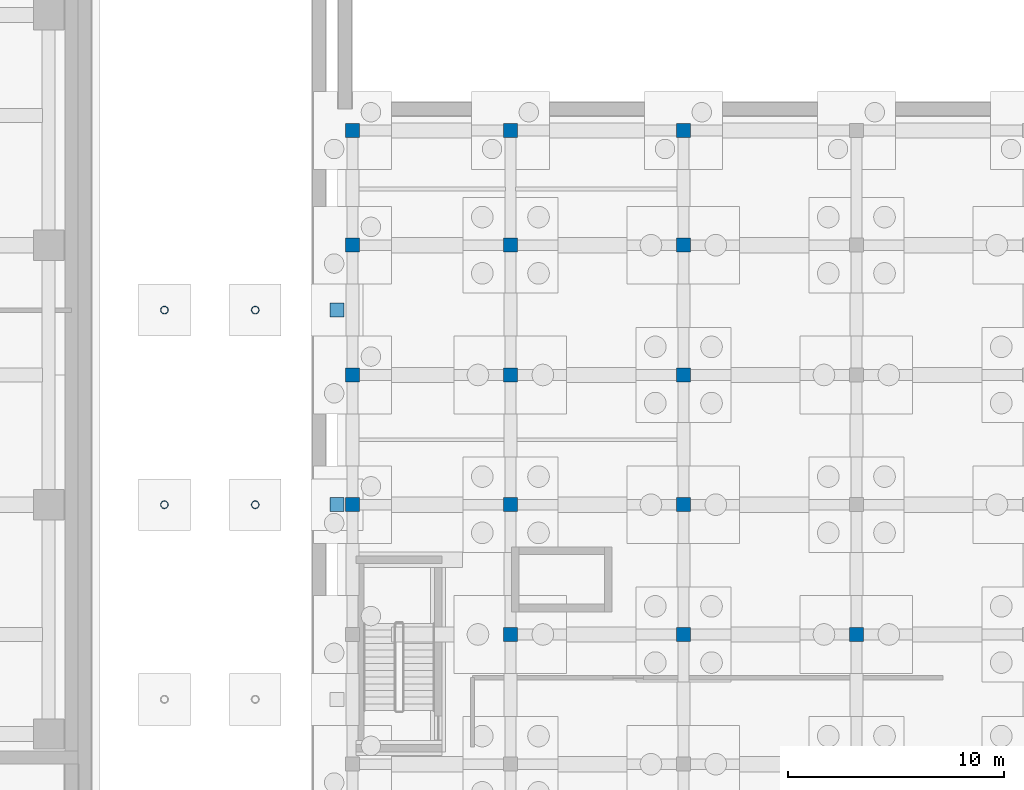
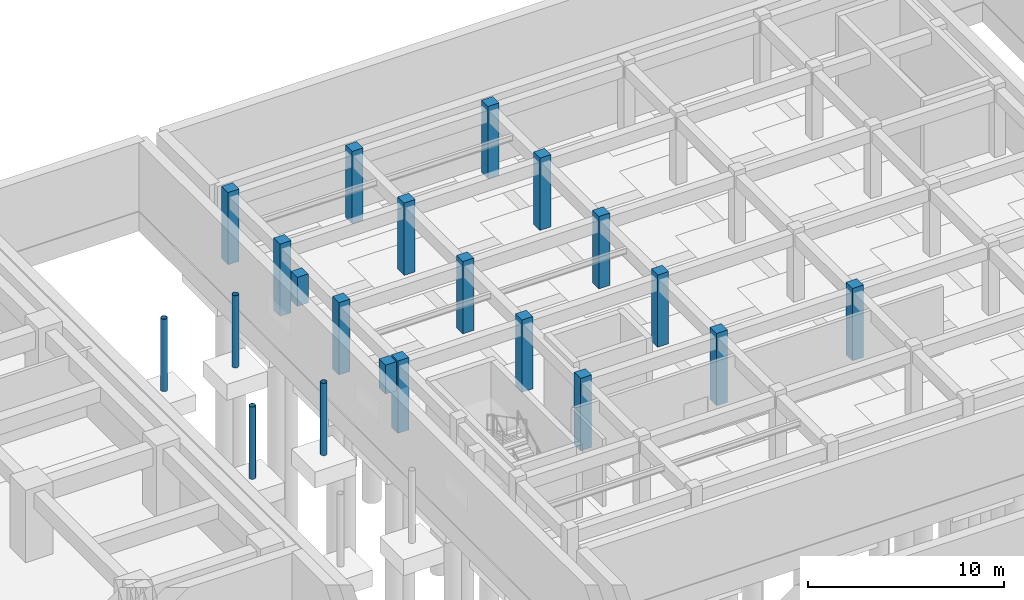
# One storey, part 6 of 14: 21 columns.
"""IFC4 building model written with IfcOpenShell, lengths in metres."""

from ifc_helpers import new_model, si_unit, direction, frame, origin, origin_2d, place, context, subcontext, project, spatial, rectangle, hollow_circle, extrude, source, transform, mapped, material, material_profile, profile_set, type_object, element, save


model = new_model("IFC4")

# Units and contexts
model_context = context("Model", 3, precision=1e-05, world=origin(), true_north=direction((0.0, 1.0)))
body_context = subcontext(model_context, "Body", "Model", "MODEL_VIEW")
ifc_project = project(units=[si_unit("LENGTHUNIT", "METRE"), si_unit("AREAUNIT", "SQUARE_METRE"), si_unit("VOLUMEUNIT", "CUBIC_METRE"), si_unit("PLANEANGLEUNIT", "RADIAN"), si_unit("MASSUNIT", "GRAM", prefix="KILO")], contexts=[model_context])

# Site, building, storey
site_placement = place(None, origin())
site = spatial("IfcSite", under=ifc_project, at=site_placement, CompositionType="ELEMENT")
building_placement = place(site_placement, origin())
building = spatial("IfcBuilding", under=site, at=building_placement, Name="Khoralis Quay Care Tower", CompositionType="ELEMENT")
storey_placement = place(building_placement, frame((0.0, 0.0, -4.5)))
storey = spatial("IfcBuildingStorey", under=building, at=storey_placement, Name="B1", CompositionType="ELEMENT", Elevation=-4.5)

# Columns
ifc_material_1 = material(Name="Steel S355", Category="steel")
ifc_material_profile_1 = material_profile(ifc_material_1, hollow_circle(Radius=0.177734375, WallThickness=0.01611328125, at=origin_2d()), Name="Steel S355")
ifc_profile_set_1 = profile_set([ifc_material_profile_1], Name="Steel S355")
column_type_1 = type_object("IfcColumnType", Name="COL-CN-CHS355", PredefinedType="COLUMN", material=ifc_profile_set_1)
shared_shape_1 = source(origin(), body_context, "Body", "SweptSolid", [
    extrude(hollow_circle(Radius=0.177734375, WallThickness=0.01611328125, at=origin_2d()), origin(), (0.0, 0.0, 1.0), 4.5),
])
for number, where, z_axis, x_axis, name in (
    (1, (60.0, 24.0, 0.0), (0.0, 0.0, 1.0), (1.0, 0.0, 0.0), "COL-B1-CAN-02"),
    (2, (60.0, 33.0, 0.0), (0.0, 0.0, 1.0), (1.0, 0.0, 0.0), "COL-B1-CAN-03"),
    (3, (64.199951171875, 24.0, 0.0), (0.0, 0.0, 1.0), (1.0, 0.0, 0.0), "COL-B1-CAN-05"),
    (4, (64.199951171875, 33.0, 0.0), (0.0, 0.0, 1.0), (1.0, 0.0, 0.0), "COL-B1-CAN-06"),
):
    element("IfcColumn", number, at=place(storey_placement, frame(where, z_axis=z_axis, x_axis=x_axis)), inside=storey, type_object=column_type_1, Name=name, PredefinedType="COLUMN", context=body_context, shape_type="MappedRepresentation", body=[
        mapped(shared_shape_1, transform((0.0, 0.0, 0.0), scale=1.0)),
    ])
ifc_material_2 = material(Name="Concrete C40/50", Category="concrete")
ifc_material_profile_2 = material_profile(ifc_material_2, rectangle(XDim=0.64990234375, YDim=0.64990234375, at=origin_2d()), Name="Concrete C40/50")
ifc_profile_set_2 = profile_set([ifc_material_profile_2], Name="Concrete C40/50")
column_type_2 = type_object("IfcColumnType", Name="COL-SC650", PredefinedType="COLUMN", material=ifc_profile_set_2)
shared_shape_2 = source(origin(), body_context, "Body", "SweptSolid", [
    extrude(rectangle(XDim=0.64990234375, YDim=0.64990234375, at=origin_2d()), origin(), (0.0, 0.0, 1.0), 1.800048828125),
])
for number, where, z_axis, x_axis, name in (
    (5, (67.97998046875, 24.0, 2.699951171875), (0.0, 0.0, 1.0), (1.0, 0.0, 0.0), "Movement Joint Substructure Bearing Pier 2"),
    (6, (67.97998046875, 33.0, 2.699951171875), (0.0, 0.0, 1.0), (1.0, 0.0, 0.0), "Movement Joint Substructure Bearing Pier 3"),
):
    element("IfcColumn", number, at=place(storey_placement, frame(where, z_axis=z_axis, x_axis=x_axis)), inside=storey, type_object=column_type_2, Name=name, PredefinedType="COLUMN", context=body_context, shape_type="MappedRepresentation", body=[
        mapped(shared_shape_2, transform((0.0, 0.0, 0.0), scale=1.0)),
    ])
shared_shape_3 = source(origin(), body_context, "Body", "SweptSolid", [
    extrude(rectangle(XDim=0.64990234375, YDim=0.64990234375, at=origin_2d()), origin(), (0.0, 0.0, 1.0), 4.5),
])
for number, where, z_axis, x_axis, name in (
    (7, (68.699951171875, 24.0, 0.0), (0.0, 0.0, 1.0), (1.0, 0.0, 0.0), "COL-SCH-B1-04"),
    (8, (68.699951171875, 30.0, 0.0), (0.0, 0.0, 1.0), (1.0, 0.0, 0.0), "COL-SCH-B1-05"),
    (9, (68.699951171875, 36.0, 0.0), (0.0, 0.0, 1.0), (1.0, 0.0, 0.0), "COL-SCH-B1-06"),
    (10, (68.699951171875, 41.300048828125, 0.0), (0.0, 0.0, 1.0), (1.0, 0.0, 0.0), "COL-SCH-B1-07"),
    (11, (76.0, 18.0, 0.0), (0.0, 0.0, 1.0), (1.0, 0.0, 0.0), "COL-SCH-B1-10"),
    (12, (76.0, 24.0, 0.0), (0.0, 0.0, 1.0), (1.0, 0.0, 0.0), "COL-SCH-B1-11"),
    (13, (76.0, 30.0, 0.0), (0.0, 0.0, 1.0), (1.0, 0.0, 0.0), "COL-SCH-B1-12"),
    (14, (76.0, 36.0, 0.0), (0.0, 0.0, 1.0), (1.0, 0.0, 0.0), "COL-SCH-B1-13"),
    (15, (76.0, 41.300048828125, 0.0), (0.0, 0.0, 1.0), (1.0, 0.0, 0.0), "COL-SCH-B1-14"),
    (16, (84.0, 18.0, 0.0), (0.0, 0.0, 1.0), (1.0, 0.0, 0.0), "COL-SCH-B1-17"),
    (17, (84.0, 24.0, 0.0), (0.0, 0.0, 1.0), (1.0, 0.0, 0.0), "COL-SCH-B1-18"),
    (18, (84.0, 30.0, 0.0), (0.0, 0.0, 1.0), (1.0, 0.0, 0.0), "COL-SCH-B1-19"),
    (19, (84.0, 36.0, 0.0), (0.0, 0.0, 1.0), (1.0, 0.0, 0.0), "COL-SCH-B1-20"),
    (20, (84.0, 41.300048828125, 0.0), (0.0, 0.0, 1.0), (1.0, 0.0, 0.0), "COL-SCH-B1-21"),
    (21, (92.0, 18.0, 0.0), (0.0, 0.0, 1.0), (1.0, 0.0, 0.0), "COL-SCH-B1-24"),
):
    element("IfcColumn", number, at=place(storey_placement, frame(where, z_axis=z_axis, x_axis=x_axis)), inside=storey, type_object=column_type_2, Name=name, PredefinedType="COLUMN", context=body_context, shape_type="MappedRepresentation", body=[
        mapped(shared_shape_3, transform((0.0, 0.0, 0.0), scale=1.0)),
    ])

save(model, "model.ifc")
